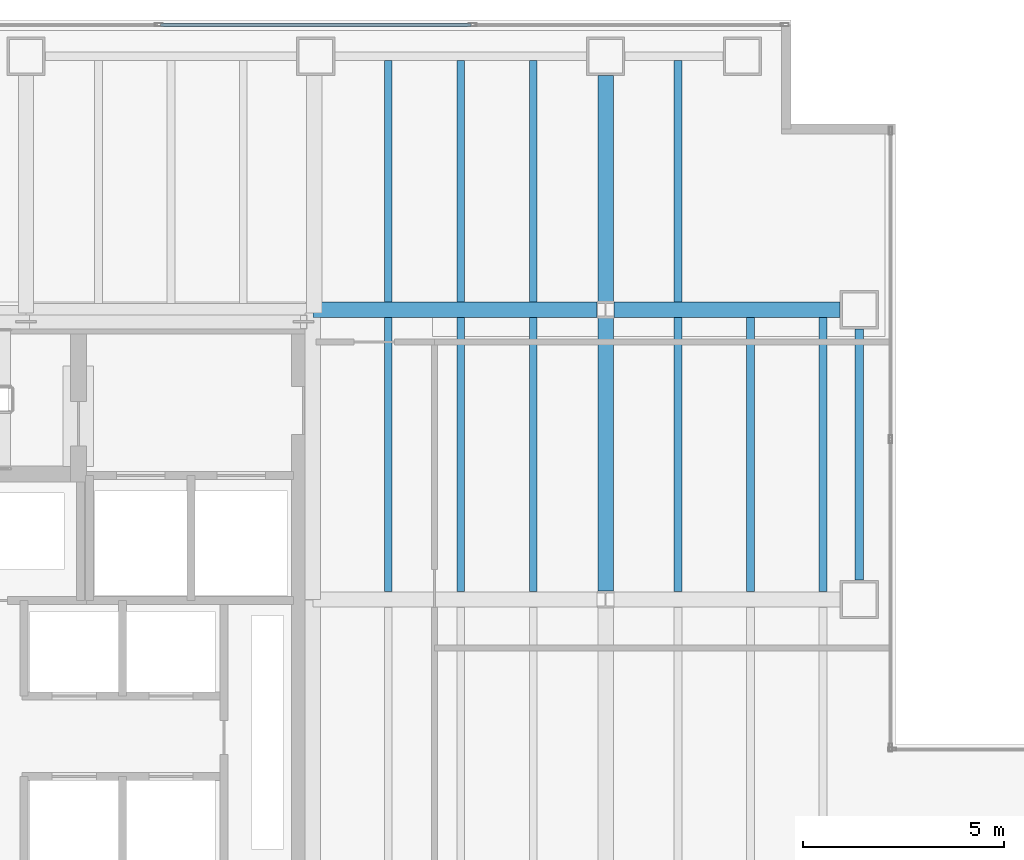
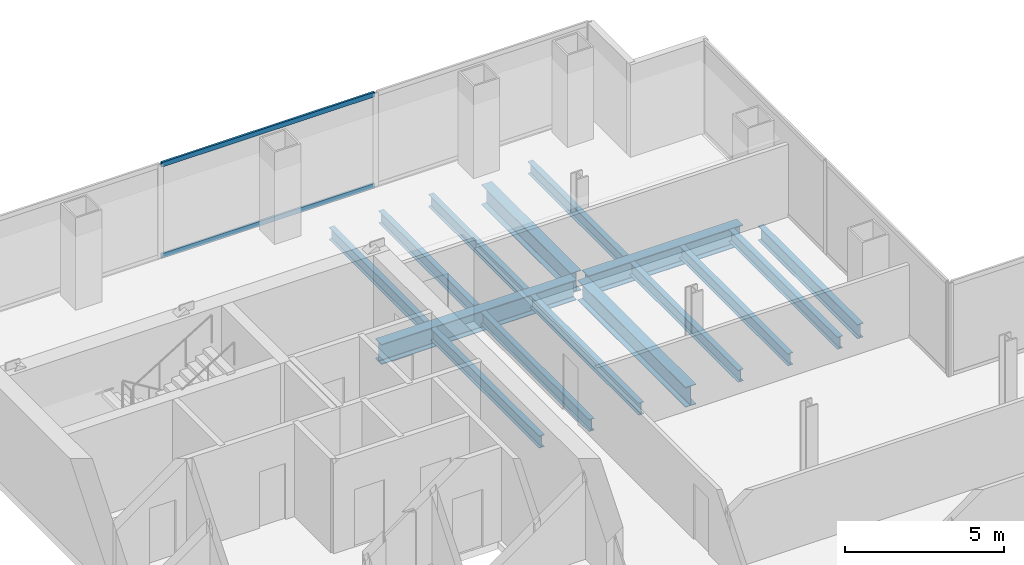
# One storey, part 17 of 24: 15 beams, 2 members, 1 element without a shape of its own.
"""IFC4 building model written with IfcOpenShell, lengths in metres."""

from ifc_helpers import new_model, si_unit, direction, frame, origin, origin_2d, place, context, subcontext, project, spatial, hollow_rectangle, i_section, extrude, material, material_profile, profile_set, type_object, element, aggregate, save


model = new_model("IFC4")

# Units and contexts
model_context = context("Model", 3, precision=1e-05, world=origin(), true_north=direction((0.0, 1.0)))
body_context = subcontext(model_context, "Body", "Model", "MODEL_VIEW")
ifc_project = project(units=[si_unit("LENGTHUNIT", "METRE"), si_unit("AREAUNIT", "SQUARE_METRE"), si_unit("VOLUMEUNIT", "CUBIC_METRE"), si_unit("PLANEANGLEUNIT", "RADIAN"), si_unit("MASSUNIT", "GRAM", prefix="KILO")], contexts=[model_context])

# Site, building, storey
site_placement = place(None, origin())
site = spatial("IfcSite", under=ifc_project, at=site_placement, CompositionType="ELEMENT")
building_placement = place(site_placement, origin())
building = spatial("IfcBuilding", under=site, at=building_placement, Name="Cobrela Telecom Tower", CompositionType="ELEMENT")
storey_placement = place(building_placement, frame((0.0, 0.0, 85.050048828125)))
storey = spatial("IfcBuildingStorey", under=building, at=storey_placement, Name="L21", CompositionType="ELEMENT", Elevation=85.050048828125)

# Beams
ifc_material_1 = material(Name="Steel ASTM A992 Grade 50", Category="steel")
ifc_material_profile_1 = material_profile(ifc_material_1, i_section(OverallWidth=0.381103515625, OverallDepth=0.77197265625, WebThickness=0.0166015625, FlangeThickness=0.027099609375, FilletRadius=0.01904296875, at=origin_2d()), Name="W30X173")
ifc_profile_set_1 = profile_set([ifc_material_profile_1], Name="Steel ASTM A992 Grade 50")
beam_type_1 = type_object("IfcBeamType", Name="BM-GIRD-04", PredefinedType="USERDEFINED", material=ifc_profile_set_1)
beam_1_placement = place(storey_placement, frame((14.324951171875, 36.0, -0.666015625), z_axis=(1.0, 0.0, 0.0), x_axis=(0.0, 1.0, 0.0)))
element("IfcBeam", 1, at=beam_1_placement, inside=storey, type_object=beam_type_1, Name="L21 Primary Girder X27", ObjectType="GIRDER", PredefinedType="USERDEFINED", context=body_context, shape_type="SweptSolid", body=[
    extrude(i_section(OverallWidth=0.381103515625, OverallDepth=0.77197265625, WebThickness=0.0166015625, FlangeThickness=0.027099609375, FilletRadius=0.01904296875, at=origin_2d()), origin(), (0.0, 0.0, 1.0), 7.0654296875),
])
beam_2_placement = place(storey_placement, frame((21.8095703125, 36.0, -0.666015625), z_axis=(1.0, 0.0, 0.0), x_axis=(0.0, 1.0, 0.0)))
element("IfcBeam", 2, at=beam_2_placement, inside=storey, type_object=beam_type_1, Name="L21 Primary Girder X28", ObjectType="GIRDER", PredefinedType="USERDEFINED", context=body_context, shape_type="SweptSolid", body=[
    extrude(i_section(OverallWidth=0.381103515625, OverallDepth=0.77197265625, WebThickness=0.0166015625, FlangeThickness=0.027099609375, FilletRadius=0.01904296875, at=origin_2d()), origin(), (0.0, 0.0, 1.0), 5.6103515625),
])
beam_3_placement = place(storey_placement, frame((21.60009765625, 29.009521484375, -0.666015625), z_axis=(0.0, 1.0, 0.0), x_axis=(-1.0, 0.0, 0.0)))
element("IfcBeam", 3, at=beam_3_placement, inside=storey, type_object=beam_type_1, Name="L21 Primary Girder Y44", ObjectType="GIRDER", PredefinedType="USERDEFINED", context=body_context, shape_type="SweptSolid", body=[
    extrude(i_section(OverallWidth=0.381103515625, OverallDepth=0.77197265625, WebThickness=0.0166015625, FlangeThickness=0.027099609375, FilletRadius=0.01904296875, at=origin_2d()), origin(), (0.0, 0.0, 1.0), 6.781005859375),
])
beam_4_placement = place(storey_placement, frame((21.60009765625, 36.20947265625, -0.666015625), z_axis=(0.0, 1.0, 0.0), x_axis=(-1.0, 0.0, 0.0)))
element("IfcBeam", 4, at=beam_4_placement, inside=storey, type_object=beam_type_1, Name="L21 Primary Girder Y45", ObjectType="GIRDER", PredefinedType="USERDEFINED", context=body_context, shape_type="SweptSolid", body=[
    extrude(i_section(OverallWidth=0.381103515625, OverallDepth=0.77197265625, WebThickness=0.0166015625, FlangeThickness=0.027099609375, FilletRadius=0.01904296875, at=origin_2d()), origin(), (0.0, 0.0, 1.0), 5.610595703125),
])
ifc_material_profile_2 = material_profile(ifc_material_1, i_section(OverallWidth=0.193115234375, OverallDepth=0.467041015625, WebThickness=0.011474609375, FlangeThickness=0.01904296875, FilletRadius=0.012939453125, at=origin_2d()), Name="W18X65")
ifc_profile_set_2 = profile_set([ifc_material_profile_2], Name="Steel ASTM A992 Grade 50")
beam_type_2 = type_object("IfcBeamType", Name="BM-JOIST-03", PredefinedType="JOIST", material=ifc_profile_set_2)
beam_5_placement = place(storey_placement, frame((16.199951171875, 28.99560546875, -0.513427734375), z_axis=(0.0, 1.0, 0.0), x_axis=(-1.0, 0.0, 0.0)))
element("IfcBeam", 5, at=beam_5_placement, inside=storey, type_object=beam_type_2, Name="L21 Secondary Composite Floor Beam J11", PredefinedType="JOIST", context=body_context, shape_type="SweptSolid", body=[
    extrude(i_section(OverallWidth=0.193115234375, OverallDepth=0.467041015625, WebThickness=0.011474609375, FlangeThickness=0.01904296875, FilletRadius=0.012939453125, at=origin_2d()), origin(), (0.0, 0.0, 1.0), 6.808837890625),
])
beam_6_placement = place(storey_placement, frame((16.199951171875, 36.195556640625, -0.513427734375), z_axis=(0.0, 1.0, 0.0), x_axis=(-1.0, 0.0, 0.0)))
element("IfcBeam", 6, at=beam_6_placement, inside=storey, type_object=beam_type_2, Name="L21 Secondary Composite Floor Beam J12", PredefinedType="JOIST", context=body_context, shape_type="SweptSolid", body=[
    extrude(i_section(OverallWidth=0.193115234375, OverallDepth=0.467041015625, WebThickness=0.011474609375, FlangeThickness=0.01904296875, FilletRadius=0.012939453125, at=origin_2d()), origin(), (0.0, 0.0, 1.0), 5.992919921875),
])
beam_7_placement = place(storey_placement, frame((18.0, 28.99560546875, -0.513427734375), z_axis=(0.0, 1.0, 0.0), x_axis=(-1.0, 0.0, 0.0)))
element("IfcBeam", 7, at=beam_7_placement, inside=storey, type_object=beam_type_2, Name="L21 Secondary Composite Floor Beam J17", PredefinedType="JOIST", context=body_context, shape_type="SweptSolid", body=[
    extrude(i_section(OverallWidth=0.193115234375, OverallDepth=0.467041015625, WebThickness=0.011474609375, FlangeThickness=0.01904296875, FilletRadius=0.012939453125, at=origin_2d()), origin(), (0.0, 0.0, 1.0), 6.808837890625),
])
beam_8_placement = place(storey_placement, frame((18.0, 36.195556640625, -0.513427734375), z_axis=(0.0, 1.0, 0.0), x_axis=(-1.0, 0.0, 0.0)))
element("IfcBeam", 8, at=beam_8_placement, inside=storey, type_object=beam_type_2, Name="L21 Secondary Composite Floor Beam J18", PredefinedType="JOIST", context=body_context, shape_type="SweptSolid", body=[
    extrude(i_section(OverallWidth=0.193115234375, OverallDepth=0.467041015625, WebThickness=0.011474609375, FlangeThickness=0.01904296875, FilletRadius=0.012939453125, at=origin_2d()), origin(), (0.0, 0.0, 1.0), 5.992919921875),
])
beam_9_placement = place(storey_placement, frame((19.800048828125, 28.99560546875, -0.513427734375), z_axis=(0.0, 1.0, 0.0), x_axis=(-1.0, 0.0, 0.0)))
element("IfcBeam", 9, at=beam_9_placement, inside=storey, type_object=beam_type_2, Name="L21 Secondary Composite Floor Beam J23", PredefinedType="JOIST", context=body_context, shape_type="SweptSolid", body=[
    extrude(i_section(OverallWidth=0.193115234375, OverallDepth=0.467041015625, WebThickness=0.011474609375, FlangeThickness=0.01904296875, FilletRadius=0.012939453125, at=origin_2d()), origin(), (0.0, 0.0, 1.0), 6.808837890625),
])
beam_10_placement = place(storey_placement, frame((19.800048828125, 36.195556640625, -0.513427734375), z_axis=(0.0, 1.0, 0.0), x_axis=(-1.0, 0.0, 0.0)))
element("IfcBeam", 10, at=beam_10_placement, inside=storey, type_object=beam_type_2, Name="L21 Secondary Composite Floor Beam J24", PredefinedType="JOIST", context=body_context, shape_type="SweptSolid", body=[
    extrude(i_section(OverallWidth=0.193115234375, OverallDepth=0.467041015625, WebThickness=0.011474609375, FlangeThickness=0.01904296875, FilletRadius=0.012939453125, at=origin_2d()), origin(), (0.0, 0.0, 1.0), 5.992919921875),
])
beam_11_placement = place(storey_placement, frame((23.39990234375, 28.99560546875, -0.513427734375), z_axis=(0.0, 1.0, 0.0), x_axis=(-1.0, 0.0, 0.0)))
element("IfcBeam", 11, at=beam_11_placement, inside=storey, type_object=beam_type_2, Name="L21 Secondary Composite Floor Beam J29", PredefinedType="JOIST", context=body_context, shape_type="SweptSolid", body=[
    extrude(i_section(OverallWidth=0.193115234375, OverallDepth=0.467041015625, WebThickness=0.011474609375, FlangeThickness=0.01904296875, FilletRadius=0.012939453125, at=origin_2d()), origin(), (0.0, 0.0, 1.0), 6.808837890625),
])
beam_12_placement = place(storey_placement, frame((23.39990234375, 36.195556640625, -0.513427734375), z_axis=(0.0, 1.0, 0.0), x_axis=(-1.0, 0.0, 0.0)))
element("IfcBeam", 12, at=beam_12_placement, inside=storey, type_object=beam_type_2, Name="L21 Secondary Composite Floor Beam J30", PredefinedType="JOIST", context=body_context, shape_type="SweptSolid", body=[
    extrude(i_section(OverallWidth=0.193115234375, OverallDepth=0.467041015625, WebThickness=0.011474609375, FlangeThickness=0.01904296875, FilletRadius=0.012939453125, at=origin_2d()), origin(), (0.0, 0.0, 1.0), 5.992919921875),
])
for number, where, z_axis, x_axis, name in (
    (13, (25.199951171875, 28.99560546875, -0.513427734375), (0.0, 1.0, 0.0), (-1.0, 0.0, 0.0), "L21 Secondary Composite Floor Beam J35"),
    (14, (27.0, 28.99560546875, -0.513427734375), (0.0, 1.0, 0.0), (-1.0, 0.0, 0.0), "L21 Secondary Composite Floor Beam J40"),
):
    element("IfcBeam", number, at=place(storey_placement, frame(where, z_axis=z_axis, x_axis=x_axis)), inside=storey, type_object=beam_type_2, Name=name, PredefinedType="JOIST", context=body_context, shape_type="SweptSolid", body=[
        extrude(i_section(OverallWidth=0.193115234375, OverallDepth=0.467041015625, WebThickness=0.011474609375, FlangeThickness=0.01904296875, FilletRadius=0.012939453125, at=origin_2d()), origin(), (0.0, 0.0, 1.0), 6.808837890625),
    ])
ifc_material_profile_3 = material_profile(ifc_material_1, i_section(OverallWidth=0.212890625, OverallDepth=0.549072265625, WebThickness=0.0146484375, FlangeThickness=0.023681640625, FilletRadius=0.013916015625, at=origin_2d()), Name="W21X93")
ifc_profile_set_3 = profile_set([ifc_material_profile_3], Name="Steel ASTM A992 Grade 50")
beam_type_3 = type_object("IfcBeamType", Name="BM-SPAND-03", PredefinedType="SPANDREL", material=ifc_profile_set_3)
beam_13_placement = place(storey_placement, frame((27.89990234375, 29.280029296875, -0.554443359375), z_axis=(0.0, 1.0, 0.0), x_axis=(-1.0, 0.0, 0.0)))
element("IfcBeam", 15, at=beam_13_placement, inside=storey, type_object=beam_type_3, Name="L21 Perimeter Spandrel Y46", PredefinedType="SPANDREL", context=body_context, shape_type="SweptSolid", body=[
    extrude(i_section(OverallWidth=0.212890625, OverallDepth=0.549072265625, WebThickness=0.0146484375, FlangeThickness=0.023681640625, FilletRadius=0.013916015625, at=origin_2d()), origin(), (0.0, 0.0, 1.0), 6.239990234375),
])

# Curtain wall, members
ifc_material_2 = material(Name="Anodized Bronze Aluminium 6063-T6", Category="aluminium")
curtain_wall_type = type_object("IfcCurtainWallType", Name="CW-SYS-DATA", PredefinedType="USERDEFINED", material=ifc_material_2)
curtain_wall_placement = place(storey_placement, origin())
curtain_wall = element("IfcCurtainWall", 16, at=curtain_wall_placement, inside=storey, type_object=curtain_wall_type, Name="L21 Unitised Bronze Curtain Wall 07", ObjectType="UNITISED CURTAIN WALL", PredefinedType="USERDEFINED")
ifc_material_profile_4 = material_profile(ifc_material_2, hollow_rectangle(XDim=0.074951171875, YDim=0.179931640625, WallThickness=0.00390625, at=origin_2d()), Name="ALU 75x180x4")
ifc_profile_set_4 = profile_set([ifc_material_profile_4], Name="Anodized Bronze Aluminium 6063-T6")
member_type = type_object("IfcMemberType", Name="CW-SYS-DATA-TRN", PredefinedType="USERDEFINED", material=ifc_profile_set_4)
member_1_placement = place(storey_placement, frame((10.543212890625, 43.080078125, 0.037353515625), z_axis=(1.0, 0.0, 0.0), x_axis=(0.0, 1.0, 0.0)))
member_1 = element("IfcMember", 17, at=member_1_placement, type_object=member_type, Name="CW-DATA transom 2.1", ObjectType="TRANSOM", PredefinedType="USERDEFINED", context=body_context, shape_type="SweptSolid", body=[
    extrude(hollow_rectangle(XDim=0.074951171875, YDim=0.179931640625, WallThickness=0.00390625, at=origin_2d()), origin(), (0.0, 0.0, 1.0), 7.71337890625),
])
member_2_placement = place(storey_placement, frame((10.543212890625, 43.080078125, 3.532470703125), z_axis=(1.0, 0.0, 0.0), x_axis=(0.0, 1.0, 0.0)))
member_2 = element("IfcMember", 18, at=member_2_placement, type_object=member_type, Name="CW-DATA transom 2.2", ObjectType="TRANSOM", PredefinedType="USERDEFINED", context=body_context, shape_type="SweptSolid", body=[
    extrude(hollow_rectangle(XDim=0.074951171875, YDim=0.179931640625, WallThickness=0.00390625, at=origin_2d()), origin(), (0.0, 0.0, 1.0), 7.71337890625),
])
aggregate(curtain_wall, [member_1, member_2])

save(model, "model.ifc")
